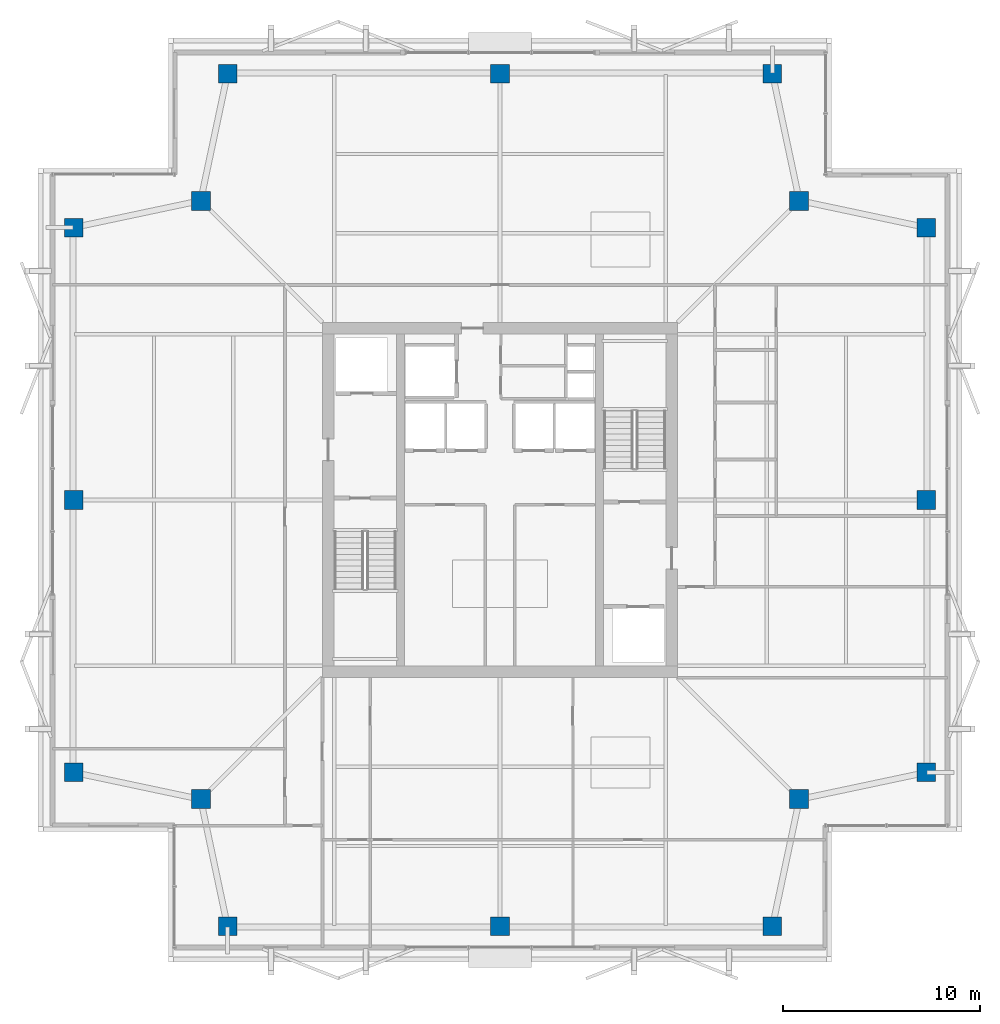
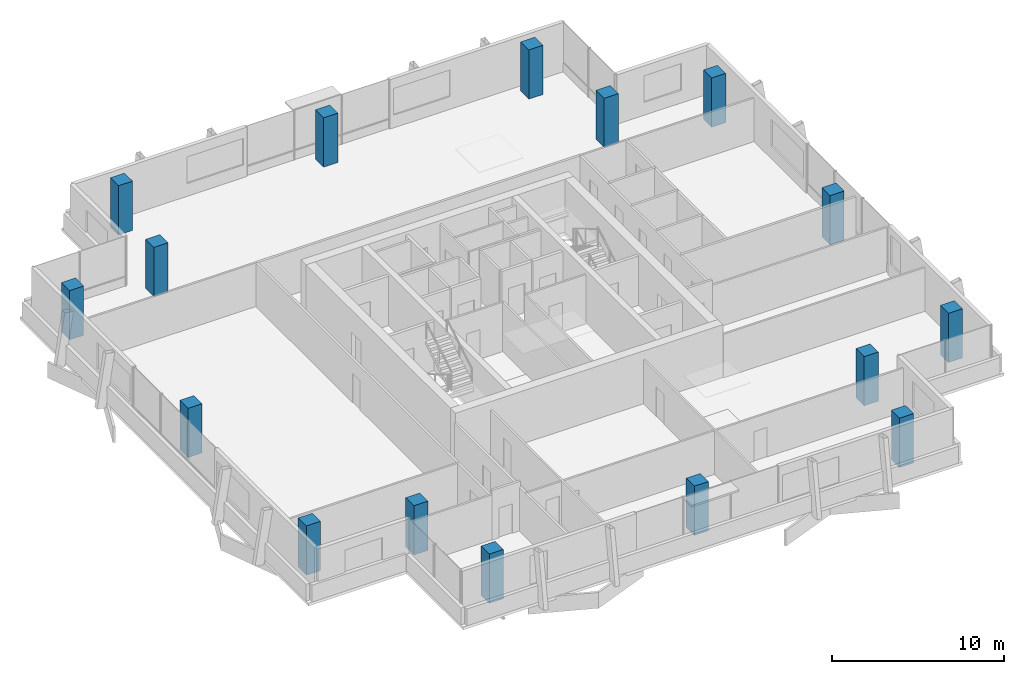
# One storey, part 1 of 26: 16 columns.
"""IFC4 building model written with IfcOpenShell, lengths in metres."""

from ifc_helpers import new_model, si_unit, direction, frame, origin, origin_2d, place, context, subcontext, project, spatial, rectangle, extrude, material, material_profile, profile_set, type_object, element, save


model = new_model("IFC4")

# Units and contexts
model_context = context("Model", 3, precision=1e-05, world=origin(), true_north=direction((0.0, 1.0)))
body_context = subcontext(model_context, "Body", "Model", "MODEL_VIEW")
ifc_project = project(units=[si_unit("LENGTHUNIT", "METRE"), si_unit("AREAUNIT", "SQUARE_METRE"), si_unit("VOLUMEUNIT", "CUBIC_METRE"), si_unit("PLANEANGLEUNIT", "RADIAN"), si_unit("MASSUNIT", "GRAM", prefix="KILO")], contexts=[model_context])

# Site, building, storey
site_placement = place(None, origin())
site = spatial("IfcSite", under=ifc_project, at=site_placement, CompositionType="ELEMENT")
building_placement = place(site_placement, origin())
building = spatial("IfcBuilding", under=site, at=building_placement, Name="Belovzor Exchange Tower", CompositionType="ELEMENT")
storey_placement = place(building_placement, frame((0.0, 0.0, 295.5)))
storey = spatial("IfcBuildingStorey", under=building, at=storey_placement, Name="L73", CompositionType="ELEMENT", Elevation=295.5)

# Columns
ifc_material = material(Name="Concrete C50/60", Category="concrete")
ifc_material_profile = material_profile(ifc_material, rectangle(XDim=0.949951171875, YDim=0.949951171875, at=origin_2d()))
ifc_profile_set = profile_set([ifc_material_profile], Name="Concrete C50/60")
column_type = type_object("IfcColumnType", Name="Reinforced Concrete Tower Column 950x950", PredefinedType="COLUMN", material=ifc_profile_set)
for number, where, z_axis, x_axis, name in (
    (1, (15.0, 7.199951171875, 0.0029296875), (0.0, 0.0, 1.0), (1.0, 0.0, 0.0), "COL-T095 Reinforced Concrete Tower Column 950x950"),
    (2, (28.800048828125, 7.199951171875, 0.0029296875), (0.0, 0.0, 1.0), (1.0, 0.0, 0.0), "COL-T095 Reinforced Concrete Tower Column 950x950"),
    (3, (42.60009765625, 7.199951171875, 0.0029296875), (0.0, 0.0, 1.0), (1.0, 0.0, 0.0), "COL-T095 Reinforced Concrete Tower Column 950x950"),
    (4, (50.39990234375, 15.0, 0.0029296875), (0.0, 0.0, 1.0), (1.0, 0.0, 0.0), "COL-T095 Reinforced Concrete Tower Column 950x950"),
    (5, (50.39990234375, 28.800048828125, 0.0029296875), (0.0, 0.0, 1.0), (1.0, 0.0, 0.0), "COL-T095 Reinforced Concrete Tower Column 950x950"),
    (6, (50.39990234375, 42.60009765625, 0.0029296875), (0.0, 0.0, 1.0), (1.0, 0.0, 0.0), "COL-T095 Reinforced Concrete Tower Column 950x950"),
    (7, (42.60009765625, 50.39990234375, 0.0029296875), (0.0, 0.0, 1.0), (1.0, 0.0, 0.0), "COL-T095 Reinforced Concrete Tower Column 950x950"),
    (8, (28.800048828125, 50.39990234375, 0.0029296875), (0.0, 0.0, 1.0), (1.0, 0.0, 0.0), "COL-T095 Reinforced Concrete Tower Column 950x950"),
    (9, (15.0, 50.39990234375, 0.0029296875), (0.0, 0.0, 1.0), (1.0, 0.0, 0.0), "COL-T095 Reinforced Concrete Tower Column 950x950"),
    (10, (7.199951171875, 42.60009765625, 0.0029296875), (0.0, 0.0, 1.0), (1.0, 0.0, 0.0), "COL-T095 Reinforced Concrete Tower Column 950x950"),
    (11, (7.199951171875, 28.800048828125, 0.0029296875), (0.0, 0.0, 1.0), (1.0, 0.0, 0.0), "COL-T095 Reinforced Concrete Tower Column 950x950"),
    (12, (7.199951171875, 15.0, 0.0029296875), (0.0, 0.0, 1.0), (1.0, 0.0, 0.0), "COL-T095 Reinforced Concrete Tower Column 950x950"),
    (13, (13.64990234375, 13.64990234375, 0.0029296875), (0.0, 0.0, 1.0), (1.0, 0.0, 0.0), "COL-T095 Reinforced Concrete Tower Column 950x950"),
    (14, (43.949951171875, 13.64990234375, 0.0029296875), (0.0, 0.0, 1.0), (1.0, 0.0, 0.0), "COL-T095 Reinforced Concrete Tower Column 950x950"),
    (15, (43.949951171875, 43.949951171875, 0.0029296875), (0.0, 0.0, 1.0), (1.0, 0.0, 0.0), "COL-T095 Reinforced Concrete Tower Column 950x950"),
    (16, (13.64990234375, 43.949951171875, 0.0029296875), (0.0, 0.0, 1.0), (1.0, 0.0, 0.0), "COL-T095 Reinforced Concrete Tower Column 950x950"),
):
    element("IfcColumn", number, at=place(storey_placement, frame(where, z_axis=z_axis, x_axis=x_axis)), inside=storey, type_object=column_type, Name=name, PredefinedType="COLUMN", context=body_context, shape_type="SweptSolid", body=[
        extrude(rectangle(XDim=0.949951171875, YDim=0.949951171875, at=origin_2d()), origin(), (0.0, 0.0, 1.0), 3.504150390625),
    ])

save(model, "model.ifc")
